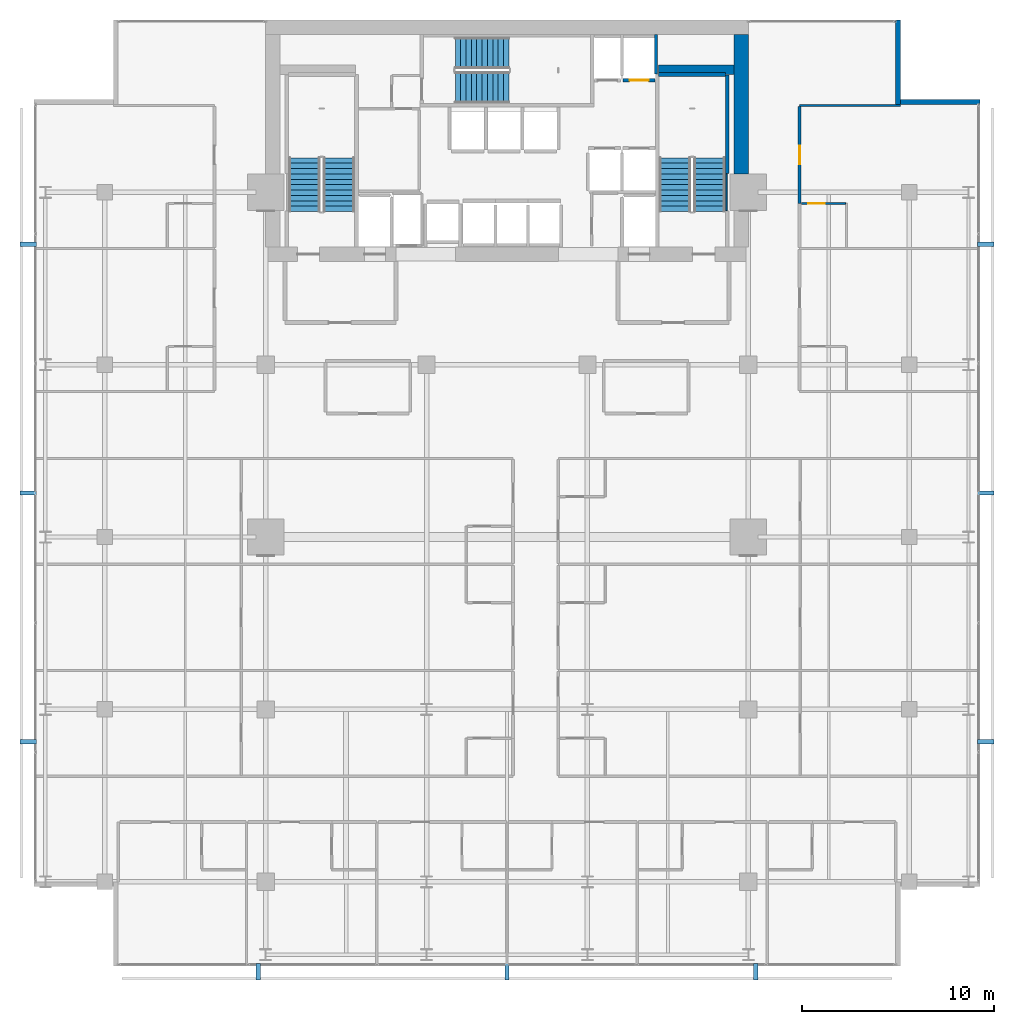
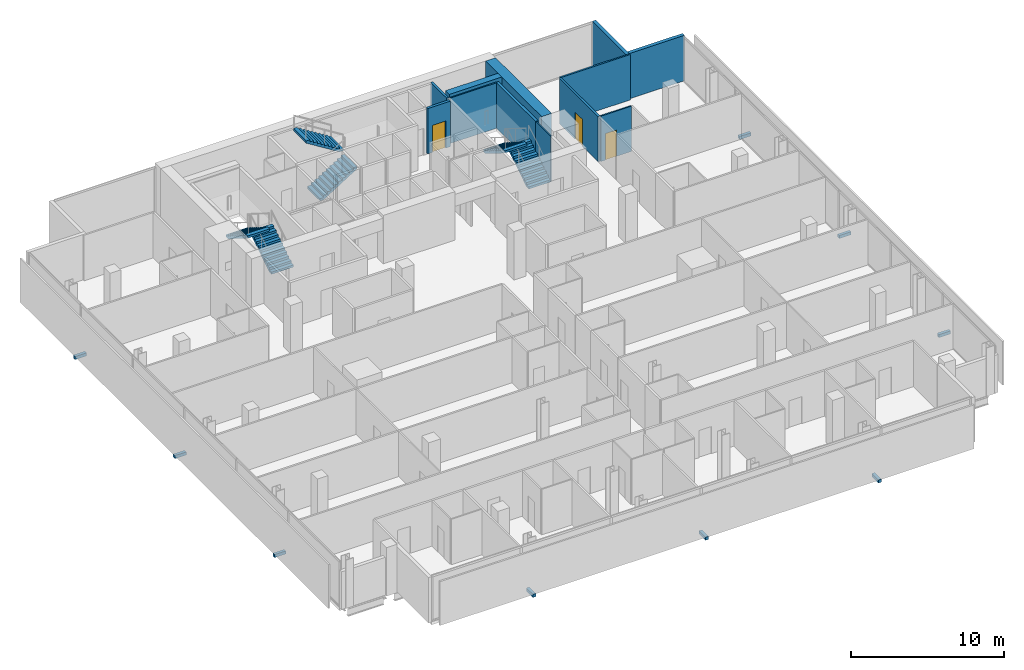
# One storey, part 31 of 33: 12 walls, 9 discrete accessories, 6 stair flights, 3 doors, 3 openings, 3 elements without a shape of their own.
"""IFC4 building model written with IfcOpenShell, lengths in metres."""

from ifc_helpers import new_model, si_unit, direction, frame, frame_2d, origin, origin_2d, place, context, subcontext, project, spatial, polyline, rectangle, outline, extrude, material, layer, layer_set, type_object, element, fill, aggregate, save


model = new_model("IFC4")

# Units and contexts
model_context = context("Model", 3, precision=1e-05, world=origin(), true_north=direction((0.0, 1.0)))
body_context = subcontext(model_context, "Body", "Model", "MODEL_VIEW")
ifc_project = project(units=[si_unit("LENGTHUNIT", "METRE"), si_unit("AREAUNIT", "SQUARE_METRE"), si_unit("VOLUMEUNIT", "CUBIC_METRE"), si_unit("PLANEANGLEUNIT", "RADIAN"), si_unit("MASSUNIT", "GRAM", prefix="KILO")], contexts=[model_context])

# Site, building, storey
site_placement = place(None, origin())
site = spatial("IfcSite", under=ifc_project, at=site_placement, CompositionType="ELEMENT")
building_placement = place(site_placement, origin())
building = spatial("IfcBuilding", under=site, at=building_placement, Name="Maruvema Waterfront Hotel and Observation Tower", CompositionType="ELEMENT")
storey_placement = place(building_placement, frame((0.0, 0.0, 154.35009765625)))
storey = spatial("IfcBuildingStorey", under=building, at=storey_placement, Name="L37", CompositionType="ELEMENT", Elevation=154.35009765625)

# Wall, opening, door
ifc_material_1 = material(Name="Twin-stud acoustic gypsum drywall", Category="gypsum")
ifc_layer_1 = layer(ifc_material_1, 0.14990234375, Name="Acoustic Corridor and Suite Demising Wall 150 mm")
ifc_layer_set_1 = layer_set([ifc_layer_1], Name="Twin-stud acoustic gypsum drywall")
wall_type_1 = type_object("IfcWallType", Name="Acoustic Corridor and Suite Demising Wall 150 mm", PredefinedType="PARTITIONING", material=ifc_layer_set_1)
wall_1_placement = place(storey_placement, frame((53.080078125, 44.418701171875, 0.0), z_axis=(0.0, 0.0, 1.0), x_axis=(0.0, 1.0, 0.0)))
wall_1 = element("IfcWall", 1, at=wall_1_placement, inside=storey, type_object=wall_type_1, Name="L37 Room L37-NE2 Corridor Wall 113", PredefinedType="PARTITIONING", context=body_context, shape_type="SweptSolid", body=[
    extrude(rectangle(XDim=5.058837890625, YDim=0.14990234375, at=frame_2d((2.529296875, 0.0))), origin(), (0.0, 0.0, 1.0), 3.60986328125),
])
opening_1_placement = place(wall_1_placement, frame((2.054443359375, 0.0, 0.0)))
opening_1 = element("IfcOpeningElement", 2, at=opening_1_placement, cuts=wall_1, Name="Opening DR-095", PredefinedType="OPENING", context=body_context, shape_type="SweptSolid", body=[
    extrude(rectangle(XDim=0.949951171875, YDim=2.14990234375, at=frame_2d((0.47509765625, 1.074951171875))), frame((0.0, 0.0849609375, 0.0), z_axis=(0.0, -1.0, 0.0), x_axis=(1.0, 0.0, 0.0)), (0.0, 0.0, 1.0), 0.169921875),
])
ifc_material_2 = material(Name="Acoustic solid-core hardwood timber leaf", Category="wood")
door_type_1 = type_object("IfcDoorType", Name="Guestroom Entrance Fire Door 950x2150 mm", OperationType="NOTDEFINED", PredefinedType="DOOR", material=ifc_material_2)
door_1_placement = place(opening_1_placement, frame((0.949951171875, 0.0, 0.0), z_axis=(0.0, 0.0, 1.0), x_axis=(-1.0, 0.0, 0.0)))
door_1 = element("IfcDoor", 3, at=door_1_placement, inside=storey, type_object=door_type_1, Name="L37 Room L37-NE2 Entrance Door", OperationType="SINGLE_SWING_RIGHT", OverallHeight=2.14990234375, OverallWidth=0.949951171875, PredefinedType="DOOR", context=body_context, shape_type="SweptSolid", body=[
    extrude(rectangle(XDim=0.949951171875, YDim=2.14990234375, at=frame_2d((0.47509765625, 1.074951171875))), frame((0.0, 0.02490234375, 0.0), z_axis=(0.0, -1.0, 0.0), x_axis=(1.0, 0.0, 0.0)), (0.0, 0.0, 1.0), 0.050048828125),
])
fill(opening_1, door_1)

# Walls
ifc_material_3 = material(Name="Precast concrete C45/55", Category="concrete")
ifc_layer_2 = layer(ifc_material_3, 0.199951171875, Name="Core Shaft and Stairwell Enclosure Wall 200 mm")
ifc_layer_set_2 = layer_set([ifc_layer_2], Name="Precast concrete C45/55")
wall_type_2 = type_object("IfcWallType", Name="Core Shaft and Stairwell Enclosure Wall 200 mm", PredefinedType="SOLIDWALL", material=ifc_layer_set_2)
wall_2_placement = place(storey_placement, frame((49.300048828125, 45.97998046875, 0.0), z_axis=(0.0, 0.0, 1.0), x_axis=(0.0, 1.0, 0.0)))
element("IfcWall", 4, at=wall_2_placement, inside=storey, type_object=wall_type_2, Name="L37 Stairwell ST-03 Shaft Lining Wall", PredefinedType="SOLIDWALL", context=body_context, shape_type="SweptSolid", body=[
    extrude(rectangle(XDim=5.14013671875, YDim=0.199951171875, at=frame_2d((2.570068359375, 0.0))), origin(), (0.0, 0.0, 1.0), 3.60986328125),
])
wall_3_placement = place(storey_placement, frame((45.719970703125, 51.14990234375, 0.0), z_axis=(0.0, 0.0, 1.0), x_axis=(1.0, 0.0, 0.0)))
element("IfcWall", 5, at=wall_3_placement, inside=storey, type_object=wall_type_2, Name="L37 Stairwell ST-03 Shaft Lining Wall", PredefinedType="SOLIDWALL", context=body_context, shape_type="SweptSolid", body=[
    extrude(rectangle(XDim=3.5, YDim=0.199951171875, at=frame_2d((1.75, 0.0))), origin(), (0.0, 0.0, 1.0), 3.60986328125),
])

# Wall, opening, door
wall_4_placement = place(storey_placement, frame((43.860107421875, 50.85009765625, 0.0), z_axis=(0.0, 0.0, 1.0), x_axis=(1.0, 0.0, 0.0)))
wall_4 = element("IfcWall", 6, at=wall_4_placement, inside=storey, type_object=wall_type_2, Name="L37 Lift LF-08 Hoistway Front Wall", PredefinedType="SOLIDWALL", context=body_context, shape_type="SweptSolid", body=[
    extrude(rectangle(XDim=1.679931640625, YDim=0.199951171875, at=frame_2d((0.83984375, 0.0))), origin(), (0.0, 0.0, 1.0), 3.60986328125),
])
opening_2_placement = place(wall_4_placement, frame((0.340087890625, 0.0, 0.0)))
opening_2 = element("IfcOpeningElement", 7, at=opening_2_placement, cuts=wall_4, Name="Opening LD-01", PredefinedType="OPENING", context=body_context, shape_type="SweptSolid", body=[
    extrude(rectangle(XDim=1.0, YDim=2.14990234375, at=frame_2d((0.5, 1.074951171875))), frame((0.0, 0.10986328125, 0.0), z_axis=(0.0, -1.0, 0.0), x_axis=(1.0, 0.0, 0.0)), (0.0, 0.0, 1.0), 0.219970703125),
])
ifc_material_4 = material(Name="Brushed stainless steel Grade 316", Category="steel")
door_type_2 = type_object("IfcDoorType", Name="Passenger Lift Sliding Landing Door 1000x2150 mm", OperationType="SLIDING_TO_LEFT", PredefinedType="DOOR", material=ifc_material_4)
door_2_placement = place(opening_2_placement, frame((1.0, 0.0, 0.0), z_axis=(0.0, 0.0, 1.0), x_axis=(-1.0, 0.0, 0.0)))
door_2 = element("IfcDoor", 8, at=door_2_placement, inside=storey, type_object=door_type_2, Name="L37 Lift LF-08 Sliding Landing Door", OperationType="SLIDING_TO_LEFT", OverallHeight=2.14990234375, OverallWidth=1.0, PredefinedType="DOOR", context=body_context, shape_type="SweptSolid", body=[
    extrude(rectangle(XDim=1.0, YDim=2.14990234375, at=frame_2d((0.5, 1.074951171875))), frame((0.0, 0.02490234375, 0.0), z_axis=(0.0, -1.0, 0.0), x_axis=(1.0, 0.0, 0.0)), (0.0, 0.0, 1.0), 0.050048828125),
])
fill(opening_2, door_2)

# Walls
ifc_material_5 = material(Name="Concrete C70/85", Category="concrete")
ifc_layer_3 = layer(ifc_material_5, 0.5, Name="Core Shear Wall 500 mm")
ifc_layer_set_3 = layer_set([ifc_layer_3], Name="Concrete C70/85")
wall_type_3 = type_object("IfcWallType", Name="Core Shear Wall 500 mm", PredefinedType="SHEAR", material=ifc_layer_set_3)
wall_5_placement = place(storey_placement, frame((45.699951171875, 51.39990234375, 0.0), z_axis=(0.0, 0.0, 1.0), x_axis=(1.0, 0.0, 0.0)))
element("IfcWall", 9, at=wall_5_placement, inside=storey, type_object=wall_type_3, Name="L37 Internal Core Shear Wall NE 500 mm", PredefinedType="SHEAR", context=body_context, shape_type="SweptSolid", body=[
    extrude(rectangle(XDim=3.949951171875, YDim=0.5, at=frame_2d((1.97509765625, 0.0))), origin(), (0.0, 0.0, 1.0), 3.849853515625),
])
ifc_material_6 = material(Name="Concrete C70/85", Category="concrete")
ifc_layer_4 = layer(ifc_material_6, 0.75, Name="Core Shear Wall 750 mm")
ifc_layer_set_4 = layer_set([ifc_layer_4], Name="Concrete C70/85")
wall_type_4 = type_object("IfcWallType", Name="Core Shear Wall 750 mm", PredefinedType="SHEAR", material=ifc_layer_set_4)
wall_6_placement = place(storey_placement, frame((50.02490234375, 45.949951171875, 0.0), z_axis=(0.0, 0.0, 1.0), x_axis=(0.0, 1.0, 0.0)))
element("IfcWall", 10, at=wall_6_placement, inside=storey, type_object=wall_type_4, Name="L37 East-North Core Shear Wall", PredefinedType="SHEAR", context=body_context, shape_type="SweptSolid", body=[
    extrude(rectangle(XDim=7.300048828125, YDim=0.75, at=frame_2d((3.64990234375, 0.0))), origin(), (0.0, 0.0, 1.0), 3.849853515625),
])

# Wall, opening, door
ifc_material_7 = material(Name="Moisture-resistant cement-board drywall", Category="gypsum")
ifc_layer_5 = layer(ifc_material_7, 0.10009765625, Name="En-Suite Moisture-Resistant Partition 100 mm")
ifc_layer_set_5 = layer_set([ifc_layer_5], Name="Moisture-resistant cement-board drywall")
wall_type_5 = type_object("IfcWallType", Name="En-Suite Moisture-Resistant Partition 100 mm", PredefinedType="PARTITIONING", material=ifc_layer_set_5)
wall_7_placement = place(storey_placement, frame((53.179931640625, 44.418701171875, 0.0), z_axis=(0.0, 0.0, 1.0), x_axis=(1.0, 0.0, 0.0)))
wall_7 = element("IfcWall", 11, at=wall_7_placement, inside=storey, type_object=wall_type_5, Name="L37 En-Suite L37-NE2 N 115", PredefinedType="PARTITIONING", context=body_context, shape_type="SweptSolid", body=[
    extrude(rectangle(XDim=2.300048828125, YDim=0.10009765625, at=frame_2d((1.14990234375, 0.0))), origin(), (0.0, 0.0, 1.0), 3.60986328125),
])
opening_3_placement = place(wall_7_placement, frame((0.35009765625, 0.0, 0.0)))
opening_3 = element("IfcOpeningElement", 12, at=opening_3_placement, cuts=wall_7, Name="Opening DR-085", PredefinedType="OPENING", context=body_context, shape_type="SweptSolid", body=[
    extrude(rectangle(XDim=0.85009765625, YDim=2.10009765625, at=frame_2d((0.425048828125, 1.050048828125))), frame((0.0, 0.06005859375, 0.0), z_axis=(0.0, -1.0, 0.0), x_axis=(1.0, 0.0, 0.0)), (0.0, 0.0, 1.0), 0.1201171875),
])
ifc_material_8 = material(Name="Moisture-resistant solid timber leaf", Category="wood")
door_type_3 = type_object("IfcDoorType", Name="En-Suite Bathroom Door 850x2100 mm", OperationType="NOTDEFINED", PredefinedType="DOOR", material=ifc_material_8)
door_3_placement = place(opening_3_placement, origin())
door_3 = element("IfcDoor", 13, at=door_3_placement, inside=storey, type_object=door_type_3, Name="L37 En-Suite L37-NE2 Door", OperationType="SINGLE_SWING_LEFT", OverallHeight=2.10009765625, OverallWidth=0.85009765625, PredefinedType="DOOR", context=body_context, shape_type="SweptSolid", body=[
    extrude(rectangle(XDim=0.85009765625, YDim=2.10009765625, at=frame_2d((0.425048828125, 1.050048828125))), frame((0.0, 0.02490234375, 0.0), z_axis=(0.0, -1.0, 0.0), x_axis=(1.0, 0.0, 0.0)), (0.0, 0.0, 1.0), 0.050048828125),
])
fill(opening_3, door_3)

# Walls
ifc_material_9 = material(Name="Precast concrete C45/55 with honed Pernambuco granite facing", Category="masonry")
ifc_layer_6 = layer(ifc_material_9, 0.260009765625, Name="Exterior Granite Clad Spandrel and Pier Wall 260 mm")
ifc_layer_set_6 = layer_set([ifc_layer_6], Name="Precast concrete C45/55 with honed Pernambuco granite facing")
wall_type_6 = type_object("IfcWallType", Name="Exterior Granite Clad Spandrel and Pier Wall 260 mm", PredefinedType="SOLIDWALL", material=ifc_layer_set_6)
for number, where, z_axis, x_axis, name in (
    (14, (58.22998046875, 54.0, 0.0), (0.0, 0.0, 1.0), (0.0, -1.0, 0.0), "L37 Corner Notch Granite Pier Wall NE1"),
    (15, (58.10009765625, 49.72998046875, 0.0), (0.0, 0.0, 1.0), (1.0, 0.0, 0.0), "L37 Corner Notch Granite Pier Wall NE2"),
):
    element("IfcWall", number, at=place(storey_placement, frame(where, z_axis=z_axis, x_axis=x_axis)), inside=storey, type_object=wall_type_6, Name=name, PredefinedType="SOLIDWALL", context=body_context, shape_type="SweptSolid", body=[
        extrude(rectangle(XDim=4.39990234375, YDim=0.260009765625, at=frame_2d((2.199951171875, 0.0))), origin(), (0.0, 0.0, 1.0), 3.60986328125),
    ])
ifc_material_10 = material(Name="Acoustic gypsum plasterboard drywall", Category="gypsum")
ifc_layer_7 = layer(ifc_material_10, 0.125, Name="Guestroom Acoustic Demising Wall 125 mm")
ifc_layer_set_7 = layer_set([ifc_layer_7], Name="Acoustic gypsum plasterboard drywall")
wall_type_7 = type_object("IfcWallType", Name="Guestroom Acoustic Demising Wall 125 mm", PredefinedType="PARTITIONING", material=ifc_layer_set_7)
wall_8_placement = place(storey_placement, frame((53.080078125, 49.53759765625, 0.0), z_axis=(0.0, 0.0, 1.0), x_axis=(1.0, 0.0, 0.0)))
element("IfcWall", 16, at=wall_8_placement, inside=storey, type_object=wall_type_7, Name="L37 Z2 NE Top End 097", PredefinedType="PARTITIONING", context=body_context, shape_type="SweptSolid", body=[
    extrude(rectangle(XDim=5.280029296875, YDim=0.125, at=frame_2d((2.64013671875, 0.0))), origin(), (0.0, 0.0, 1.0), 3.60986328125),
])
ifc_material_11 = material(Name="Precast concrete C45/55", Category="concrete")
ifc_layer_8 = layer(ifc_material_11, 0.159912109375, Name="Lift Hoistway Divider Wall 160 mm")
ifc_layer_set_8 = layer_set([ifc_layer_8], Name="Precast concrete C45/55")
wall_type_8 = type_object("IfcWallType", Name="Lift Hoistway Divider Wall 160 mm", PredefinedType="SOLIDWALL", material=ifc_layer_set_8)
wall_9_placement = place(storey_placement, frame((45.590087890625, 51.179931640625, 0.0), z_axis=(0.0, 0.0, 1.0), x_axis=(0.0, 1.0, 0.0)))
element("IfcWall", 17, at=wall_9_placement, inside=storey, type_object=wall_type_8, Name="L37 Hoistway Divider Wall", PredefinedType="SOLIDWALL", context=body_context, shape_type="SweptSolid", body=[
    extrude(rectangle(XDim=2.070068359375, YDim=0.159912109375, at=frame_2d((1.03515625, 0.0))), origin(), (0.0, 0.0, 1.0), 3.60986328125),
])
ifc_material_12 = material(Name="Precast concrete C45/55", Category="concrete")
ifc_layer_9 = layer(ifc_material_12, 0.10009765625, Name="Stairwell Stringer Cheek Wall 100 mm")
ifc_layer_set_9 = layer_set([ifc_layer_9], Name="Precast concrete C45/55")
wall_type_9 = type_object("IfcWallType", Name="Stairwell Stringer Cheek Wall 100 mm", PredefinedType="SOLIDWALL", material=ifc_layer_set_9)
wall_10_placement = place(storey_placement, frame((49.248046875, 44.0400390625, 0.0), z_axis=(0.0, 0.0, 1.0), x_axis=(0.0, 1.0, 0.0)))
element("IfcWall", 18, at=wall_10_placement, inside=storey, type_object=wall_type_9, Name="L37 Stairwell ST-03 Mega-Column Cheek Wall", PredefinedType="SOLIDWALL", context=body_context, shape_type="SweptSolid", body=[
    extrude(rectangle(XDim=1.919921875, YDim=0.10009765625, at=frame_2d((0.9599609375, 0.0))), origin(), (0.0, 0.0, 1.0), 3.60986328125),
])

# Stair, stair flights
ifc_material_13 = material(Name="Concrete C50/60", Category="concrete")
stair_type = type_object("IfcStairType", Name="Dogleg Exit Stair 1650 mm (22R x 175.0 mm)", PredefinedType="HALF_TURN_STAIR", material=ifc_material_13)
stair_1_placement = place(storey_placement, origin())
stair_1 = element("IfcStair", 19, at=stair_1_placement, inside=storey, type_object=stair_type, Name="L37 ST-01", PredefinedType="HALF_TURN_STAIR")
ifc_material_14 = material(Name="Concrete C50/60", Category="concrete")
stair_flight_type = type_object("IfcStairFlightType", Name="Reinforced Concrete Stair Flight 1650 mm (11R x 175.0 mm)", PredefinedType="STRAIGHT", material=ifc_material_14)
stair_flight_1_placement = place(storey_placement, frame((29.02490234375, 44.0, 0.0), z_axis=(0.0, 0.0, 1.0), x_axis=(0.0, 1.0, 0.0)))
stair_flight_1 = element("IfcStairFlight", 20, at=stair_flight_1_placement, type_object=stair_flight_type, Name="ST-01 flight 1", NumberOfRisers=11, NumberOfTreads=10, PredefinedType="STRAIGHT", RiserHeight=0.175, TreadLength=0.28, context=body_context, shape_type="SweptSolid", body=[
    extrude(outline(polyline([(0.0, 0.0), (0.0, 0.175048828125), (0.280029296875, 0.175048828125), (0.280029296875, 0.35009765625), (0.56005859375, 0.35009765625), (0.56005859375, 0.52490234375), (0.840087890625, 0.52490234375), (0.840087890625, 0.699951171875), (1.1201171875, 0.699951171875), (1.1201171875, 0.875), (1.39990234375, 0.875), (1.39990234375, 1.050048828125), (1.679931640625, 1.050048828125), (1.679931640625, 1.22509765625), (1.9599609375, 1.22509765625), (1.9599609375, 1.39990234375), (2.239990234375, 1.39990234375), (2.239990234375, 1.574951171875), (2.52001953125, 1.574951171875), (2.52001953125, 1.75), (2.800048828125, 1.75), (2.800048828125, 1.925048828125), (2.800048828125, 1.5732421875), (0.28271484375, 0.0), (0.0, 0.0)])), frame((0.0, 0.824951171875, 0.0), z_axis=(0.0, -1.0, 0.0), x_axis=(1.0, 0.0, 0.0)), (0.0, 0.0, 1.0), 1.64990234375),
])
stair_flight_2_placement = place(storey_placement, frame((27.22509765625, 46.800048828125, 1.9248046875), z_axis=(0.0, 0.0, 1.0), x_axis=(0.0, -1.0, 0.0)))
stair_flight_2 = element("IfcStairFlight", 21, at=stair_flight_2_placement, type_object=stair_flight_type, Name="ST-01 flight 2", NumberOfRisers=11, NumberOfTreads=10, PredefinedType="STRAIGHT", RiserHeight=0.175, TreadLength=0.28, context=body_context, shape_type="SweptSolid", body=[
    extrude(outline(polyline([(0.0, 0.0), (0.0, 0.175048828125), (0.280029296875, 0.175048828125), (0.280029296875, 0.35009765625), (0.56005859375, 0.35009765625), (0.56005859375, 0.52490234375), (0.840087890625, 0.52490234375), (0.840087890625, 0.699951171875), (1.1201171875, 0.699951171875), (1.1201171875, 0.875), (1.39990234375, 0.875), (1.39990234375, 1.050048828125), (1.679931640625, 1.050048828125), (1.679931640625, 1.22509765625), (1.9599609375, 1.22509765625), (1.9599609375, 1.39990234375), (2.239990234375, 1.39990234375), (2.239990234375, 1.574951171875), (2.52001953125, 1.574951171875), (2.52001953125, 1.75), (2.800048828125, 1.75), (2.800048828125, 1.925048828125), (2.800048828125, 1.5732421875), (0.28271484375, 0.0), (0.0, 0.0)])), frame((0.0, 0.824951171875, 0.0), z_axis=(0.0, -1.0, 0.0), x_axis=(1.0, 0.0, 0.0)), (0.0, 0.0, 1.0), 1.64990234375),
])
aggregate(stair_1, [stair_flight_1, stair_flight_2])

stair_2_placement = place(storey_placement, origin())
stair_2 = element("IfcStair", 22, at=stair_2_placement, inside=storey, type_object=stair_type, Name="L37 ST-02", PredefinedType="HALF_TURN_STAIR")
stair_flight_3_placement = place(storey_placement, frame((35.10009765625, 50.47509765625, 0.0), z_axis=(0.0, 0.0, 1.0), x_axis=(1.0, 0.0, 0.0)))
stair_flight_3 = element("IfcStairFlight", 23, at=stair_flight_3_placement, type_object=stair_flight_type, Name="ST-02 flight 1", NumberOfRisers=11, NumberOfTreads=10, PredefinedType="STRAIGHT", RiserHeight=0.175, TreadLength=0.28, context=body_context, shape_type="SweptSolid", body=[
    extrude(outline(polyline([(0.0, 0.0), (0.0, 0.175048828125), (0.280029296875, 0.175048828125), (0.280029296875, 0.35009765625), (0.56005859375, 0.35009765625), (0.56005859375, 0.52490234375), (0.840087890625, 0.52490234375), (0.840087890625, 0.699951171875), (1.1201171875, 0.699951171875), (1.1201171875, 0.875), (1.39990234375, 0.875), (1.39990234375, 1.050048828125), (1.679931640625, 1.050048828125), (1.679931640625, 1.22509765625), (1.9599609375, 1.22509765625), (1.9599609375, 1.39990234375), (2.239990234375, 1.39990234375), (2.239990234375, 1.574951171875), (2.52001953125, 1.574951171875), (2.52001953125, 1.75), (2.800048828125, 1.75), (2.800048828125, 1.925048828125), (2.800048828125, 1.5732421875), (0.28271484375, 0.0), (0.0, 0.0)])), frame((0.0, 0.824951171875, 0.0), z_axis=(0.0, -1.0, 0.0), x_axis=(1.0, 0.0, 0.0)), (0.0, 0.0, 1.0), 1.64990234375),
])
stair_flight_4_placement = place(storey_placement, frame((37.89990234375, 52.27490234375, 1.9248046875), z_axis=(0.0, 0.0, 1.0), x_axis=(-1.0, 0.0, 0.0)))
stair_flight_4 = element("IfcStairFlight", 24, at=stair_flight_4_placement, type_object=stair_flight_type, Name="ST-02 flight 2", NumberOfRisers=11, NumberOfTreads=10, PredefinedType="STRAIGHT", RiserHeight=0.175, TreadLength=0.28, context=body_context, shape_type="SweptSolid", body=[
    extrude(outline(polyline([(0.0, 0.0), (0.0, 0.175048828125), (0.280029296875, 0.175048828125), (0.280029296875, 0.35009765625), (0.56005859375, 0.35009765625), (0.56005859375, 0.52490234375), (0.840087890625, 0.52490234375), (0.840087890625, 0.699951171875), (1.1201171875, 0.699951171875), (1.1201171875, 0.875), (1.39990234375, 0.875), (1.39990234375, 1.050048828125), (1.679931640625, 1.050048828125), (1.679931640625, 1.22509765625), (1.9599609375, 1.22509765625), (1.9599609375, 1.39990234375), (2.239990234375, 1.39990234375), (2.239990234375, 1.574951171875), (2.52001953125, 1.574951171875), (2.52001953125, 1.75), (2.800048828125, 1.75), (2.800048828125, 1.925048828125), (2.800048828125, 1.5732421875), (0.28271484375, 0.0), (0.0, 0.0)])), frame((0.0, 0.824951171875, 0.0), z_axis=(0.0, -1.0, 0.0), x_axis=(1.0, 0.0, 0.0)), (0.0, 0.0, 1.0), 1.64990234375),
])
aggregate(stair_2, [stair_flight_3, stair_flight_4])

stair_3_placement = place(storey_placement, origin())
stair_3 = element("IfcStair", 25, at=stair_3_placement, inside=storey, type_object=stair_type, Name="L37 ST-03", PredefinedType="HALF_TURN_STAIR")
stair_flight_5_placement = place(storey_placement, frame((48.375, 44.0, 0.0), z_axis=(0.0, 0.0, 1.0), x_axis=(0.0, 1.0, 0.0)))
stair_flight_5 = element("IfcStairFlight", 26, at=stair_flight_5_placement, type_object=stair_flight_type, Name="ST-03 flight 1", NumberOfRisers=11, NumberOfTreads=10, PredefinedType="STRAIGHT", RiserHeight=0.175, TreadLength=0.28, context=body_context, shape_type="SweptSolid", body=[
    extrude(outline(polyline([(0.0, 0.0), (0.0, 0.175048828125), (0.280029296875, 0.175048828125), (0.280029296875, 0.35009765625), (0.56005859375, 0.35009765625), (0.56005859375, 0.52490234375), (0.840087890625, 0.52490234375), (0.840087890625, 0.699951171875), (1.1201171875, 0.699951171875), (1.1201171875, 0.875), (1.39990234375, 0.875), (1.39990234375, 1.050048828125), (1.679931640625, 1.050048828125), (1.679931640625, 1.22509765625), (1.9599609375, 1.22509765625), (1.9599609375, 1.39990234375), (2.239990234375, 1.39990234375), (2.239990234375, 1.574951171875), (2.52001953125, 1.574951171875), (2.52001953125, 1.75), (2.800048828125, 1.75), (2.800048828125, 1.925048828125), (2.800048828125, 1.5732421875), (0.28271484375, 0.0), (0.0, 0.0)])), frame((0.0, 0.824951171875, 0.0), z_axis=(0.0, -1.0, 0.0), x_axis=(1.0, 0.0, 0.0)), (0.0, 0.0, 1.0), 1.64990234375),
])
stair_flight_6_placement = place(storey_placement, frame((46.574951171875, 46.800048828125, 1.9248046875), z_axis=(0.0, 0.0, 1.0), x_axis=(0.0, -1.0, 0.0)))
stair_flight_6 = element("IfcStairFlight", 27, at=stair_flight_6_placement, type_object=stair_flight_type, Name="ST-03 flight 2", NumberOfRisers=11, NumberOfTreads=10, PredefinedType="STRAIGHT", RiserHeight=0.175, TreadLength=0.28, context=body_context, shape_type="SweptSolid", body=[
    extrude(outline(polyline([(0.0, 0.0), (0.0, 0.175048828125), (0.280029296875, 0.175048828125), (0.280029296875, 0.35009765625), (0.56005859375, 0.35009765625), (0.56005859375, 0.52490234375), (0.840087890625, 0.52490234375), (0.840087890625, 0.699951171875), (1.1201171875, 0.699951171875), (1.1201171875, 0.875), (1.39990234375, 0.875), (1.39990234375, 1.050048828125), (1.679931640625, 1.050048828125), (1.679931640625, 1.22509765625), (1.9599609375, 1.22509765625), (1.9599609375, 1.39990234375), (2.239990234375, 1.39990234375), (2.239990234375, 1.574951171875), (2.52001953125, 1.574951171875), (2.52001953125, 1.75), (2.800048828125, 1.75), (2.800048828125, 1.925048828125), (2.800048828125, 1.5732421875), (0.28271484375, 0.0), (0.0, 0.0)])), frame((0.0, 0.824951171875, 0.0), z_axis=(0.0, -1.0, 0.0), x_axis=(1.0, 0.0, 0.0)), (0.0, 0.0, 1.0), 1.64990234375),
])
aggregate(stair_3, [stair_flight_5, stair_flight_6])

# Discrete accessories
ifc_material_15 = material(Name="Duplex stainless steel Grade 2205", Category="steel")
discrete_accessory_type = type_object("IfcDiscreteAccessoryType", Name="Double-Skin Cavity Stainless Outrigger Bracket", PredefinedType="BRACKET", material=ifc_material_15)
for number, where, z_axis, x_axis, name in (
    (28, (24.80810546875, 4.300048828125, -0.14013671875), (0.0, 0.0, 1.0), (1.0, 0.0, 0.0), "L37 Outer Skin Support Bracket 1"),
    (29, (37.800048828125, 4.300048828125, -0.14013671875), (0.0, 0.0, 1.0), (1.0, 0.0, 0.0), "L37 Outer Skin Support Bracket 2"),
    (30, (50.7919921875, 4.300048828125, -0.14013671875), (0.0, 0.0, 1.0), (1.0, 0.0, 0.0), "L37 Outer Skin Support Bracket 3"),
    (31, (62.800048828125, 16.30810546875, -0.14013671875), (0.0, 0.0, 1.0), (0.0, 1.0, 0.0), "L37 Outer Skin Support Bracket 1"),
    (32, (62.800048828125, 29.300048828125, -0.14013671875), (0.0, 0.0, 1.0), (0.0, 1.0, 0.0), "L37 Outer Skin Support Bracket 2"),
    (33, (62.800048828125, 42.2919921875, -0.14013671875), (0.0, 0.0, 1.0), (0.0, 1.0, 0.0), "L37 Outer Skin Support Bracket 3"),
    (34, (12.800048828125, 42.2919921875, -0.14013671875), (0.0, 0.0, 1.0), (0.0, -1.0, 0.0), "L37 Outer Skin Support Bracket 1"),
    (35, (12.800048828125, 29.300048828125, -0.14013671875), (0.0, 0.0, 1.0), (0.0, -1.0, 0.0), "L37 Outer Skin Support Bracket 2"),
    (36, (12.800048828125, 16.30810546875, -0.14013671875), (0.0, 0.0, 1.0), (0.0, -1.0, 0.0), "L37 Outer Skin Support Bracket 3"),
):
    element("IfcDiscreteAccessory", number, at=place(storey_placement, frame(where, z_axis=z_axis, x_axis=x_axis)), inside=storey, type_object=discrete_accessory_type, Name=name, PredefinedType="BRACKET", context=body_context, shape_type="SweptSolid", body=[
        extrude(rectangle(XDim=0.219970703125, YDim=0.860107421875, at=origin_2d()), origin(), (0.0, 0.0, 1.0), 0.239990234375),
    ])

save(model, "model.ifc")
